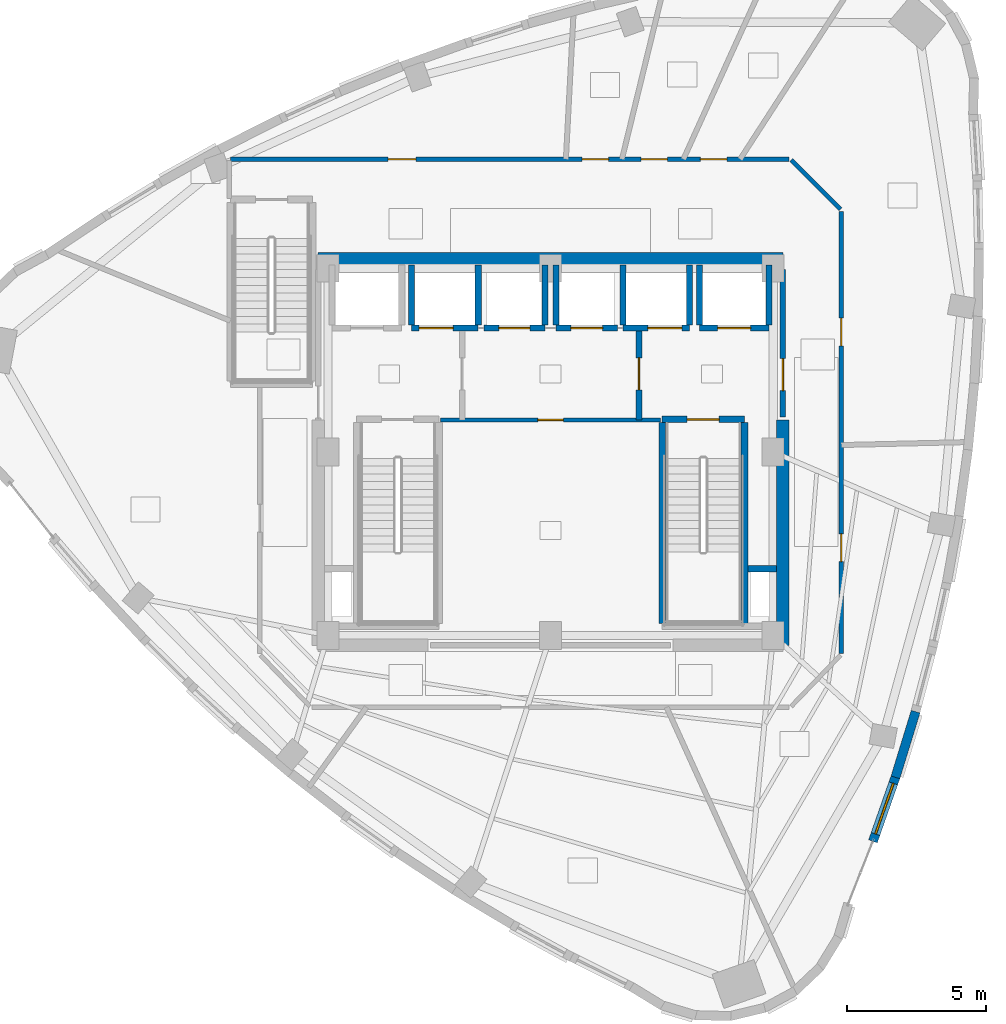
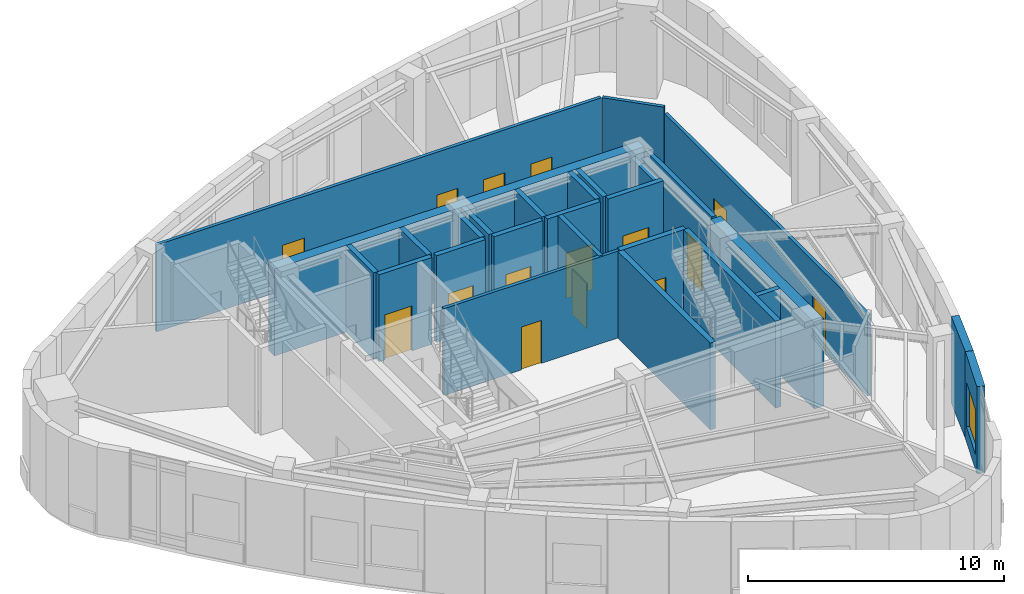
# One storey, part 9 of 13: 27 walls, 15 doors, 1 window, 16 openings.
"""IFC4 building model written with IfcOpenShell, lengths in metres."""

from ifc_helpers import new_model, si_unit, direction, frame, frame_2d, origin, place, context, subcontext, project, spatial, rectangle, extrude, material, layer, layer_set, type_object, element, fill, save


model = new_model("IFC4")

# Units and contexts
model_context = context("Model", 3, precision=1e-05, world=origin(), true_north=direction((0.0, 1.0)))
body_context = subcontext(model_context, "Body", "Model", "MODEL_VIEW")
ifc_project = project(units=[si_unit("LENGTHUNIT", "METRE"), si_unit("AREAUNIT", "SQUARE_METRE"), si_unit("VOLUMEUNIT", "CUBIC_METRE"), si_unit("PLANEANGLEUNIT", "RADIAN"), si_unit("MASSUNIT", "GRAM", prefix="KILO")], contexts=[model_context])

# Site, building, storey
site_placement = place(None, origin())
site = spatial("IfcSite", under=ifc_project, at=site_placement, CompositionType="ELEMENT")
building_placement = place(site_placement, origin())
building = spatial("IfcBuilding", under=site, at=building_placement, Name="Ndelora Gate Hotel", CompositionType="ELEMENT")
storey_placement = place(building_placement, frame((0.0, 0.0, 272.800048828125)))
storey = spatial("IfcBuildingStorey", under=building, at=storey_placement, Name="L68", CompositionType="ELEMENT", Elevation=272.800048828125)

# Wall, opening, window
ifc_material_1 = material(Name="Clay Brick Masonry", Category="masonry")
ifc_layer_1 = layer(ifc_material_1, 0.330078125)
ifc_layer_set_1 = layer_set([ifc_layer_1], Name="Clay Brick Masonry")
wall_type_1 = type_object("IfcWallType", Name="WL-BRICK-330", PredefinedType="SOLIDWALL", material=ifc_layer_set_1)
wall_1_placement = place(storey_placement, frame((12.41259765625, -11.6513671875, 0.0), z_axis=(0.0, 0.0, 1.0), x_axis=(-0.331176640599, -0.94356877477, 0.0)))
wall_1 = element("IfcWall", 1, at=wall_1_placement, inside=storey, type_object=wall_type_1, Name="L68 Tower Brick Pier-and-Spandrel Wall TWR-30", PredefinedType="SOLIDWALL", context=body_context, shape_type="SweptSolid", body=[
    extrude(rectangle(XDim=2.4873046875, YDim=0.330078125, at=frame_2d((1.24365234375, 0.0))), origin(), (0.0, 0.0, 1.0), 4.14990234375),
])
opening_1_placement = place(wall_1_placement, frame((0.278564453125, 0.0, 0.719970703125)))
opening_1 = element("IfcOpeningElement", 2, at=opening_1_placement, cuts=wall_1, Name="Opening W05", PredefinedType="OPENING", context=body_context, shape_type="SweptSolid", body=[
    extrude(rectangle(XDim=1.929931640625, YDim=2.14990234375, at=frame_2d((0.96484375, 1.074951171875))), frame((0.0, 0.175048828125, 0.0), z_axis=(0.0, -1.0, 0.0), x_axis=(1.0, 0.0, 0.0)), (0.0, 0.0, 1.0), 0.35009765625),
])
ifc_material_2 = material(Name="Insulated Low-E Double Glazing in Bronze Aluminium Frame", Category="aluminium")
window_type = type_object("IfcWindowType", Name="WN-SKY-2000", PartitioningType="SINGLE_PANEL", PredefinedType="WINDOW", material=ifc_material_2)
window_placement = place(opening_1_placement, origin())
window = element("IfcWindow", 3, at=window_placement, inside=storey, type_object=window_type, Name="L68 Deep-Set Brick-Pier Window W05", OverallHeight=2.14990234375, OverallWidth=1.929931640625, PartitioningType="SINGLE_PANEL", PredefinedType="WINDOW", context=body_context, shape_type="SweptSolid", body=[
    extrude(rectangle(XDim=1.929931640625, YDim=2.14990234375, at=frame_2d((0.96484375, 1.074951171875))), frame((0.0, 0.030029296875, 0.0), z_axis=(0.0, -1.0, 0.0), x_axis=(1.0, 0.0, 0.0)), (0.0, 0.0, 1.0), 0.06005859375),
])
fill(opening_1, window)

# Walls
wall_2_placement = place(storey_placement, frame((13.122802734375, -9.336181640625, 0.0), z_axis=(0.0, 0.0, 1.0), x_axis=(-0.293558293962, -0.955941173946, 0.0)))
element("IfcWall", 4, at=wall_2_placement, inside=storey, type_object=wall_type_1, Name="L68 Tower Brick Pier-and-Spandrel Wall TWR-31", PredefinedType="SOLIDWALL", context=body_context, shape_type="SweptSolid", body=[
    extrude(rectangle(XDim=2.4716796875, YDim=0.330078125, at=frame_2d((1.23583984375, 0.0))), origin(), (0.0, 0.0, 1.0), 4.14990234375),
])
ifc_material_3 = material(Name="Concrete C50/60", Category="concrete")
ifc_layer_2 = layer(ifc_material_3, 0.449951171875)
ifc_layer_set_2 = layer_set([ifc_layer_2], Name="Concrete C50/60")
wall_type_2 = type_object("IfcWallType", Name="WL-CORE-450", PredefinedType="SHEAR", material=ifc_layer_set_2)
wall_3_placement = place(storey_placement, frame((-8.35009765625, 6.949951171875, 0.0), z_axis=(0.0, 0.0, 1.0), x_axis=(1.0, 0.0, 0.0)))
element("IfcWall", 5, at=wall_3_placement, inside=storey, type_object=wall_type_2, Name="L68 Core Shear Wall N", PredefinedType="SHEAR", context=body_context, shape_type="SweptSolid", body=[
    extrude(rectangle(XDim=16.7001953125, YDim=0.449951171875, at=frame_2d((8.35009765625, 0.0))), origin(), (0.0, 0.0, 1.0), 4.14990234375),
])
wall_4_placement = place(storey_placement, frame((8.35009765625, -6.949951171875, 0.0), z_axis=(0.0, 0.0, 1.0), x_axis=(0.0, 1.0, 0.0)))
element("IfcWall", 6, at=wall_4_placement, inside=storey, type_object=wall_type_2, Name="L68 Core Shear Wall E", PredefinedType="SHEAR", context=body_context, shape_type="SweptSolid", body=[
    extrude(rectangle(XDim=8.099853515625, YDim=0.449951171875, at=frame_2d((4.0498046875, 0.0))), origin(), (0.0, 0.0, 1.0), 4.14990234375),
])

# Wall, opening, door
ifc_material_4 = material(Name="Concrete C40/50", Category="concrete")
ifc_layer_3 = layer(ifc_material_4, 0.199951171875)
ifc_layer_set_3 = layer_set([ifc_layer_3], Name="Concrete C40/50")
wall_type_3 = type_object("IfcWallType", Name="WL-FIRE-200", PredefinedType="PARTITIONING", material=ifc_layer_set_3)
wall_5_placement = place(storey_placement, frame((3.179931640625, 1.14990234375, 0.0), z_axis=(0.0, 0.0, 1.0), x_axis=(0.0, 1.0, 0.0)))
wall_5 = element("IfcWall", 7, at=wall_5_placement, inside=storey, type_object=wall_type_3, Name="L68 Interior Wall IW-2", PredefinedType="PARTITIONING", context=body_context, shape_type="SweptSolid", body=[
    extrude(rectangle(XDim=3.300048828125, YDim=0.199951171875, at=frame_2d((1.64990234375, 0.0))), origin(), (0.0, 0.0, 1.0), 4.14990234375),
])
opening_2_placement = place(wall_5_placement, frame((1.080078125, 0.0, 0.0)))
opening_2 = element("IfcOpeningElement", 8, at=opening_2_placement, cuts=wall_5, Name="Opening FD1", PredefinedType="OPENING", context=body_context, shape_type="SweptSolid", body=[
    extrude(rectangle(XDim=1.14990234375, YDim=2.14990234375, at=frame_2d((0.574951171875, 1.074951171875))), frame((0.0, 0.10986328125, 0.0), z_axis=(0.0, -1.0, 0.0), x_axis=(1.0, 0.0, 0.0)), (0.0, 0.0, 1.0), 0.219970703125),
])
ifc_material_5 = material(Name="Fire-Rated Timber-Veneer Steel Core", Category="steel")
door_type_1 = type_object("IfcDoorType", Name="DR-FD60", OperationType="SINGLE_SWING_LEFT", PredefinedType="DOOR", material=ifc_material_5)
door_1_placement = place(opening_2_placement, origin())
door_1 = element("IfcDoor", 9, at=door_1_placement, inside=storey, type_object=door_type_1, Name="L68 Firefighting Lobby East Door", OperationType="SINGLE_SWING_LEFT", OverallHeight=2.14990234375, OverallWidth=1.14990234375, PredefinedType="DOOR", context=body_context, shape_type="SweptSolid", body=[
    extrude(rectangle(XDim=1.14990234375, YDim=2.14990234375, at=frame_2d((0.574951171875, 1.074951171875))), frame((0.0, 0.02490234375, 0.0), z_axis=(0.0, -1.0, 0.0), x_axis=(1.0, 0.0, 0.0)), (0.0, 0.0, 1.0), 0.050048828125),
])
fill(opening_2, door_1)

wall_6_placement = place(storey_placement, frame((8.35009765625, 1.25, 0.0), z_axis=(0.0, 0.0, 1.0), x_axis=(0.0, 1.0, 0.0)))
wall_6 = element("IfcWall", 10, at=wall_6_placement, inside=storey, type_object=wall_type_3, Name="L68 Interior Wall IW-2", PredefinedType="PARTITIONING", context=body_context, shape_type="SweptSolid", body=[
    extrude(rectangle(XDim=5.300048828125, YDim=0.199951171875, at=frame_2d((2.64990234375, 0.0))), origin(), (0.0, 0.0, 1.0), 4.14990234375),
])
opening_3_placement = place(wall_6_placement, frame((0.949951171875, 0.0, 0.0)))
opening_3 = element("IfcOpeningElement", 11, at=opening_3_placement, cuts=wall_6, Name="Opening FD1", PredefinedType="OPENING", context=body_context, shape_type="SweptSolid", body=[
    extrude(rectangle(XDim=1.14990234375, YDim=2.14990234375, at=frame_2d((0.574951171875, 1.074951171875))), frame((0.0, 0.10986328125, 0.0), z_axis=(0.0, -1.0, 0.0), x_axis=(1.0, 0.0, 0.0)), (0.0, 0.0, 1.0), 0.219970703125),
])
door_2_placement = place(opening_3_placement, origin())
door_2 = element("IfcDoor", 12, at=door_2_placement, inside=storey, type_object=door_type_1, Name="L68 Firefighting Lobby East Corridor Door", OperationType="SINGLE_SWING_RIGHT", OverallHeight=2.14990234375, OverallWidth=1.14990234375, PredefinedType="DOOR", context=body_context, shape_type="SweptSolid", body=[
    extrude(rectangle(XDim=1.14990234375, YDim=2.14990234375, at=frame_2d((0.574951171875, 1.074951171875))), frame((0.0, 0.02490234375, 0.0), z_axis=(0.0, -1.0, 0.0), x_axis=(1.0, 0.0, 0.0)), (0.0, 0.0, 1.0), 0.050048828125),
])
fill(opening_3, door_2)

ifc_material_6 = material(Name="Fire-Rated Gypsum Stud Partition", Category="gypsum")
ifc_layer_4 = layer(ifc_material_6, 0.14990234375)
ifc_layer_set_4 = layer_set([ifc_layer_4], Name="Fire-Rated Gypsum Stud Partition")
wall_type_4 = type_object("IfcWallType", Name="WL-PART-150", PredefinedType="PARTITIONING", material=ifc_layer_set_4)
wall_7_placement = place(storey_placement, frame((3.949951171875, 1.14990234375, 0.0), z_axis=(0.0, 0.0, 1.0), x_axis=(-1.0, 0.0, 0.0)))
wall_7 = element("IfcWall", 13, at=wall_7_placement, inside=storey, type_object=wall_type_4, Name="L68 Interior Wall IW-5", PredefinedType="PARTITIONING", context=body_context, shape_type="SweptSolid", body=[
    extrude(rectangle(XDim=7.89990234375, YDim=0.14990234375, at=frame_2d((3.949951171875, 0.0))), origin(), (0.0, 0.0, 1.0), 4.14990234375),
])
opening_4_placement = place(wall_7_placement, frame((3.489990234375, 0.0, 0.0)))
opening_4 = element("IfcOpeningElement", 14, at=opening_4_placement, cuts=wall_7, Name="Opening D04", PredefinedType="OPENING", context=body_context, shape_type="SweptSolid", body=[
    extrude(rectangle(XDim=0.919921875, YDim=2.050048828125, at=frame_2d((0.4599609375, 1.02490234375))), frame((0.0, 0.0849609375, 0.0), z_axis=(0.0, -1.0, 0.0), x_axis=(1.0, 0.0, 0.0)), (0.0, 0.0, 1.0), 0.169921875),
])
ifc_material_7 = material(Name="Painted Steel Core Service Door", Category="steel")
door_type_2 = type_object("IfcDoorType", Name="DR-SER-920", OperationType="SINGLE_SWING_LEFT", PredefinedType="DOOR", material=ifc_material_7)
door_3_placement = place(opening_4_placement, origin())
door_3 = element("IfcDoor", 15, at=door_3_placement, inside=storey, type_object=door_type_2, Name="L68 Core Electrical and Linen Service Store Door", OperationType="SINGLE_SWING_LEFT", OverallHeight=2.050048828125, OverallWidth=0.919921875, PredefinedType="DOOR", context=body_context, shape_type="SweptSolid", body=[
    extrude(rectangle(XDim=0.919921875, YDim=2.050048828125, at=frame_2d((0.4599609375, 1.02490234375))), frame((0.0, 0.02490234375, 0.0), z_axis=(0.0, -1.0, 0.0), x_axis=(1.0, 0.0, 0.0)), (0.0, 0.0, 1.0), 0.050048828125),
])
fill(opening_4, door_3)

# Wall, openings, doors
wall_8_placement = place(storey_placement, frame((10.449951171875, 8.64990234375, 0.0), z_axis=(0.0, 0.0, 1.0), x_axis=(0.0, -1.0, 0.0)))
wall_8 = element("IfcWall", 16, at=wall_8_placement, inside=storey, type_object=wall_type_4, Name="L68 Interior Wall IW-5", PredefinedType="PARTITIONING", context=body_context, shape_type="SweptSolid", body=[
    extrude(rectangle(XDim=15.889892578125, YDim=0.14990234375, at=frame_2d((7.94482421875, 0.0))), origin(), (0.0, 0.0, 1.0), 3.85986328125),
])
opening_5_placement = place(wall_8_placement, frame((11.596923828125, 0.0, 0.0)))
opening_5 = element("IfcOpeningElement", 17, at=opening_5_placement, cuts=wall_8, Name="Opening D01", PredefinedType="OPENING", context=body_context, shape_type="SweptSolid", body=[
    extrude(rectangle(XDim=1.0, YDim=2.14990234375, at=frame_2d((0.5, 1.074951171875))), frame((0.0, 0.0849609375, 0.0), z_axis=(0.0, -1.0, 0.0), x_axis=(1.0, 0.0, 0.0)), (0.0, 0.0, 1.0), 0.169921875),
])
opening_6_placement = place(wall_8_placement, frame((3.841796875, 0.0, 0.0)))
opening_6 = element("IfcOpeningElement", 18, at=opening_6_placement, cuts=wall_8, Name="Opening D01", PredefinedType="OPENING", context=body_context, shape_type="SweptSolid", body=[
    extrude(rectangle(XDim=1.0, YDim=2.14990234375, at=frame_2d((0.5, 1.074951171875))), frame((0.0, 0.0849609375, 0.0), z_axis=(0.0, -1.0, 0.0), x_axis=(1.0, 0.0, 0.0)), (0.0, 0.0, 1.0), 0.169921875),
])
ifc_material_8 = material(Name="Acoustic Hardwood Guest Entrance Door", Category="wood")
door_type_3 = type_object("IfcDoorType", Name="DR-COR-1000", OperationType="SINGLE_SWING_LEFT", PredefinedType="DOOR", material=ifc_material_8)
door_4_placement = place(opening_5_placement, origin())
door_4 = element("IfcDoor", 19, at=door_4_placement, inside=storey, type_object=door_type_3, Name="L68 Private Chef Dining Room Entrance Door", OperationType="SINGLE_SWING_RIGHT", OverallHeight=2.14990234375, OverallWidth=1.0, PredefinedType="DOOR", context=body_context, shape_type="SweptSolid", body=[
    extrude(rectangle(XDim=1.0, YDim=2.14990234375, at=frame_2d((0.5, 1.074951171875))), frame((0.0, 0.02490234375, 0.0), z_axis=(0.0, -1.0, 0.0), x_axis=(1.0, 0.0, 0.0)), (0.0, 0.0, 1.0), 0.050048828125),
])
fill(opening_5, door_4)
door_5_placement = place(opening_6_placement, origin())
door_5 = element("IfcDoor", 20, at=door_5_placement, inside=storey, type_object=door_type_3, Name="L68 Crown Sommelier Study Entrance Door", OperationType="SINGLE_SWING_LEFT", OverallHeight=2.14990234375, OverallWidth=1.0, PredefinedType="DOOR", context=body_context, shape_type="SweptSolid", body=[
    extrude(rectangle(XDim=1.0, YDim=2.14990234375, at=frame_2d((0.5, 1.074951171875))), frame((0.0, 0.02490234375, 0.0), z_axis=(0.0, -1.0, 0.0), x_axis=(1.0, 0.0, 0.0)), (0.0, 0.0, 1.0), 0.050048828125),
])
fill(opening_6, door_5)

# Wall
wall_9_placement = place(storey_placement, frame((8.648193359375, 10.49169921875, 0.0), z_axis=(0.0, 0.0, 1.0), x_axis=(0.707106781187, -0.707106781187, 0.0)))
element("IfcWall", 21, at=wall_9_placement, inside=storey, type_object=wall_type_4, Name="L68 Interior Wall IW-5", PredefinedType="PARTITIONING", context=body_context, shape_type="SweptSolid", body=[
    extrude(rectangle(XDim=2.508056640625, YDim=0.14990234375, at=frame_2d((1.25390625, 0.0))), origin(), (0.0, 0.0, 1.0), 4.14990234375),
])

# Wall, openings, doors
wall_10_placement = place(storey_placement, frame((-11.510009765625, 10.52001953125, 0.0), z_axis=(0.0, 0.0, 1.0), x_axis=(1.0, 0.0, 0.0)))
wall_10 = element("IfcWall", 22, at=wall_10_placement, inside=storey, type_object=wall_type_4, Name="L68 Interior Wall IW-5", PredefinedType="PARTITIONING", context=body_context, shape_type="SweptSolid", body=[
    extrude(rectangle(XDim=20.090087890625, YDim=0.14990234375, at=frame_2d((10.044921875, 0.0))), origin(), (0.0, 0.0, 1.0), 4.14990234375),
])
opening_7_placement = place(wall_10_placement, frame((12.64599609375, 0.0, 0.0)))
opening_7 = element("IfcOpeningElement", 23, at=opening_7_placement, cuts=wall_10, Name="Opening D05", PredefinedType="OPENING", context=body_context, shape_type="SweptSolid", body=[
    extrude(rectangle(XDim=0.949951171875, YDim=2.10009765625, at=frame_2d((0.47509765625, 1.050048828125))), frame((0.0, 0.0849609375, 0.0), z_axis=(0.0, -1.0, 0.0), x_axis=(1.0, 0.0, 0.0)), (0.0, 0.0, 1.0), 0.169921875),
])
opening_8_placement = place(wall_10_placement, frame((14.76318359375, 0.0, 0.0)))
opening_8 = element("IfcOpeningElement", 24, at=opening_8_placement, cuts=wall_10, Name="Opening D05", PredefinedType="OPENING", context=body_context, shape_type="SweptSolid", body=[
    extrude(rectangle(XDim=0.949951171875, YDim=2.10009765625, at=frame_2d((0.47509765625, 1.050048828125))), frame((0.0, 0.0849609375, 0.0), z_axis=(0.0, -1.0, 0.0), x_axis=(1.0, 0.0, 0.0)), (0.0, 0.0, 1.0), 0.169921875),
])
opening_9_placement = place(wall_10_placement, frame((16.894775390625, 0.0, 0.0)))
opening_9 = element("IfcOpeningElement", 25, at=opening_9_placement, cuts=wall_10, Name="Opening D05", PredefinedType="OPENING", context=body_context, shape_type="SweptSolid", body=[
    extrude(rectangle(XDim=0.949951171875, YDim=2.10009765625, at=frame_2d((0.47509765625, 1.050048828125))), frame((0.0, 0.0849609375, 0.0), z_axis=(0.0, -1.0, 0.0), x_axis=(1.0, 0.0, 0.0)), (0.0, 0.0, 1.0), 0.169921875),
])
opening_10_placement = place(wall_10_placement, frame((5.6708984375, 0.0, 0.0)))
opening_10 = element("IfcOpeningElement", 26, at=opening_10_placement, cuts=wall_10, Name="Opening D01", PredefinedType="OPENING", context=body_context, shape_type="SweptSolid", body=[
    extrude(rectangle(XDim=1.0, YDim=2.14990234375, at=frame_2d((0.5, 1.074951171875))), frame((0.0, 0.0849609375, 0.0), z_axis=(0.0, -1.0, 0.0), x_axis=(1.0, 0.0, 0.0)), (0.0, 0.0, 1.0), 0.169921875),
])
ifc_material_9 = material(Name="Accessible Restroom Wide-Clearance Door", Category="wood")
door_type_4 = type_object("IfcDoorType", Name="DR-ACC-950", OperationType="SINGLE_SWING_LEFT", PredefinedType="DOOR", material=ifc_material_9)
door_6_placement = place(opening_7_placement, origin())
door_6 = element("IfcDoor", 27, at=door_6_placement, inside=storey, type_object=door_type_4, Name="L68 Accessible WC Entrance Door", OperationType="SINGLE_SWING_RIGHT", OverallHeight=2.10009765625, OverallWidth=0.949951171875, PredefinedType="DOOR", context=body_context, shape_type="SweptSolid", body=[
    extrude(rectangle(XDim=0.949951171875, YDim=2.10009765625, at=frame_2d((0.47509765625, 1.050048828125))), frame((0.0, 0.02490234375, 0.0), z_axis=(0.0, -1.0, 0.0), x_axis=(1.0, 0.0, 0.0)), (0.0, 0.0, 1.0), 0.050048828125),
])
fill(opening_7, door_6)
door_7_placement = place(opening_8_placement, origin())
door_7 = element("IfcDoor", 28, at=door_7_placement, inside=storey, type_object=door_type_4, Name="L68 Female Public Restroom Entrance Door", OperationType="SINGLE_SWING_LEFT", OverallHeight=2.10009765625, OverallWidth=0.949951171875, PredefinedType="DOOR", context=body_context, shape_type="SweptSolid", body=[
    extrude(rectangle(XDim=0.949951171875, YDim=2.10009765625, at=frame_2d((0.47509765625, 1.050048828125))), frame((0.0, 0.02490234375, 0.0), z_axis=(0.0, -1.0, 0.0), x_axis=(1.0, 0.0, 0.0)), (0.0, 0.0, 1.0), 0.050048828125),
])
fill(opening_8, door_7)
door_8_placement = place(opening_9_placement, origin())
door_8 = element("IfcDoor", 29, at=door_8_placement, inside=storey, type_object=door_type_4, Name="L68 Male Public Restroom Entrance Door", OperationType="SINGLE_SWING_RIGHT", OverallHeight=2.10009765625, OverallWidth=0.949951171875, PredefinedType="DOOR", context=body_context, shape_type="SweptSolid", body=[
    extrude(rectangle(XDim=0.949951171875, YDim=2.10009765625, at=frame_2d((0.47509765625, 1.050048828125))), frame((0.0, 0.02490234375, 0.0), z_axis=(0.0, -1.0, 0.0), x_axis=(1.0, 0.0, 0.0)), (0.0, 0.0, 1.0), 0.050048828125),
])
fill(opening_9, door_8)
door_9_placement = place(opening_10_placement, origin())
door_9 = element("IfcDoor", 30, at=door_9_placement, inside=storey, type_object=door_type_3, Name="L68 Crown Arrival Dining Room Entrance Door", OperationType="SINGLE_SWING_LEFT", OverallHeight=2.14990234375, OverallWidth=1.0, PredefinedType="DOOR", context=body_context, shape_type="SweptSolid", body=[
    extrude(rectangle(XDim=1.0, YDim=2.14990234375, at=frame_2d((0.5, 1.074951171875))), frame((0.0, 0.02490234375, 0.0), z_axis=(0.0, -1.0, 0.0), x_axis=(1.0, 0.0, 0.0)), (0.0, 0.0, 1.0), 0.050048828125),
])
fill(opening_10, door_9)

# Wall
ifc_layer_5 = layer(ifc_material_4, 0.219970703125)
ifc_layer_set_5 = layer_set([ifc_layer_5], Name="Concrete C40/50")
wall_type_5 = type_object("IfcWallType", Name="WL-SHAFT-220", PredefinedType="PARTITIONING", material=ifc_layer_set_5)
wall_11_placement = place(storey_placement, frame((7.090087890625, -4.199951171875, 0.0), z_axis=(0.0, 0.0, 1.0), x_axis=(1.0, 0.0, 0.0)))
element("IfcWall", 31, at=wall_11_placement, inside=storey, type_object=wall_type_5, Name="L68 Interior Wall IW-1", PredefinedType="PARTITIONING", context=body_context, shape_type="SweptSolid", body=[
    extrude(rectangle(XDim=1.034912109375, YDim=0.219970703125, at=frame_2d((0.517578125, 0.0))), origin(), (0.0, 0.0, 1.0), 4.14990234375),
])

# Wall, opening, door
wall_12_placement = place(storey_placement, frame((5.35009765625, 4.449951171875, 0.0), z_axis=(0.0, 0.0, 1.0), x_axis=(1.0, 0.0, 0.0)))
wall_12 = element("IfcWall", 32, at=wall_12_placement, inside=storey, type_object=wall_type_5, Name="L68 Interior Wall IW-1", PredefinedType="PARTITIONING", context=body_context, shape_type="SweptSolid", body=[
    extrude(rectangle(XDim=2.5, YDim=0.219970703125, at=frame_2d((1.25, 0.0))), origin(), (0.0, 0.0, 1.0), 4.14990234375),
])
opening_11_placement = place(wall_12_placement, frame((0.659912109375, 0.0, 0.0)))
opening_11 = element("IfcOpeningElement", 33, at=opening_11_placement, cuts=wall_12, Name="Opening LD5", PredefinedType="OPENING", context=body_context, shape_type="SweptSolid", body=[
    extrude(rectangle(XDim=1.179931640625, YDim=2.14990234375, at=frame_2d((0.58984375, 1.074951171875))), frame((0.0, 0.1201171875, 0.0), z_axis=(0.0, -1.0, 0.0), x_axis=(1.0, 0.0, 0.0)), (0.0, 0.0, 1.0), 0.239990234375),
])
ifc_material_10 = material(Name="Firefighting Lift Stainless Sliding Landing Door", Category="metal")
door_type_5 = type_object("IfcDoorType", Name="DR-LD5", OperationType="DOUBLE_DOOR_SLIDING", PredefinedType="DOOR", material=ifc_material_10)
door_10_placement = place(opening_11_placement, origin())
door_10 = element("IfcDoor", 34, at=door_10_placement, inside=storey, type_object=door_type_5, Name="L68 Lift Landing Sliding Door FFL2", OperationType="DOUBLE_DOOR_SLIDING", OverallHeight=2.14990234375, OverallWidth=1.179931640625, PredefinedType="DOOR", context=body_context, shape_type="SweptSolid", body=[
    extrude(rectangle(XDim=1.179931640625, YDim=2.14990234375, at=frame_2d((0.58984375, 1.074951171875))), frame((0.0, 0.02490234375, 0.0), z_axis=(0.0, -1.0, 0.0), x_axis=(1.0, 0.0, 0.0)), (0.0, 0.0, 1.0), 0.050048828125),
])
fill(opening_11, door_10)

# Walls
wall_13_placement = place(storey_placement, frame((5.35009765625, 4.570068359375, 0.0), z_axis=(0.0, 0.0, 1.0), x_axis=(0.0, 1.0, 0.0)))
element("IfcWall", 35, at=wall_13_placement, inside=storey, type_object=wall_type_5, Name="L68 Interior Wall IW-1", PredefinedType="PARTITIONING", context=body_context, shape_type="SweptSolid", body=[
    extrude(rectangle(XDim=2.155029296875, YDim=0.219970703125, at=frame_2d((1.07763671875, 0.0))), origin(), (0.0, 0.0, 1.0), 4.14990234375),
])
wall_14_placement = place(storey_placement, frame((7.85009765625, 4.570068359375, 0.0), z_axis=(0.0, 0.0, 1.0), x_axis=(0.0, 1.0, 0.0)))
element("IfcWall", 36, at=wall_14_placement, inside=storey, type_object=wall_type_5, Name="L68 Interior Wall IW-1", PredefinedType="PARTITIONING", context=body_context, shape_type="SweptSolid", body=[
    extrude(rectangle(XDim=2.155029296875, YDim=0.219970703125, at=frame_2d((1.07763671875, 0.0))), origin(), (0.0, 0.0, 1.0), 3.829833984375),
])

# Wall, opening, door
wall_15_placement = place(storey_placement, frame((-5.0, 4.449951171875, 0.0), z_axis=(0.0, 0.0, 1.0), x_axis=(1.0, 0.0, 0.0)))
wall_15 = element("IfcWall", 37, at=wall_15_placement, inside=storey, type_object=wall_type_5, Name="L68 Interior Wall IW-1", PredefinedType="PARTITIONING", context=body_context, shape_type="SweptSolid", body=[
    extrude(rectangle(XDim=2.39990234375, YDim=0.219970703125, at=frame_2d((1.199951171875, 0.0))), origin(), (0.0, 0.0, 1.0), 4.14990234375),
])
opening_12_placement = place(wall_15_placement, frame((0.280029296875, 0.0, 0.0)))
opening_12 = element("IfcOpeningElement", 38, at=opening_12_placement, cuts=wall_15, Name="Opening LD6", PredefinedType="OPENING", context=body_context, shape_type="SweptSolid", body=[
    extrude(rectangle(XDim=1.219970703125, YDim=2.14990234375, at=frame_2d((0.60986328125, 1.074951171875))), frame((0.0, 0.1201171875, 0.0), z_axis=(0.0, -1.0, 0.0), x_axis=(1.0, 0.0, 0.0)), (0.0, 0.0, 1.0), 0.239990234375),
])
ifc_material_11 = material(Name="Heavy-Duty Service Lift Sliding Landing Door", Category="wood")
door_type_6 = type_object("IfcDoorType", Name="DR-LD6", OperationType="DOUBLE_DOOR_SLIDING", PredefinedType="DOOR", material=ifc_material_11)
door_11_placement = place(opening_12_placement, origin())
door_11 = element("IfcDoor", 39, at=door_11_placement, inside=storey, type_object=door_type_6, Name="L68 Lift Landing Sliding Door SVL1", OperationType="DOUBLE_DOOR_SLIDING", OverallHeight=2.14990234375, OverallWidth=1.219970703125, PredefinedType="DOOR", context=body_context, shape_type="SweptSolid", body=[
    extrude(rectangle(XDim=1.219970703125, YDim=2.14990234375, at=frame_2d((0.60986328125, 1.074951171875))), frame((0.0, 0.02490234375, 0.0), z_axis=(0.0, -1.0, 0.0), x_axis=(1.0, 0.0, 0.0)), (0.0, 0.0, 1.0), 0.050048828125),
])
fill(opening_12, door_11)

# Walls
for number, where, z_axis, x_axis, name in (
    (40, (-5.0, 4.570068359375, 0.0), (0.0, 0.0, 1.0), (0.0, 1.0, 0.0), "L68 Interior Wall IW-1"),
    (41, (-2.60009765625, 4.570068359375, 0.0), (0.0, 0.0, 1.0), (0.0, 1.0, 0.0), "L68 Interior Wall IW-1"),
):
    element("IfcWall", number, at=place(storey_placement, frame(where, z_axis=z_axis, x_axis=x_axis)), inside=storey, type_object=wall_type_5, Name=name, PredefinedType="PARTITIONING", context=body_context, shape_type="SweptSolid", body=[
        extrude(rectangle(XDim=2.155029296875, YDim=0.219970703125, at=frame_2d((1.07763671875, 0.0))), origin(), (0.0, 0.0, 1.0), 4.14990234375),
    ])

# Wall, opening, door
wall_16_placement = place(storey_placement, frame((2.60009765625, 4.449951171875, 0.0), z_axis=(0.0, 0.0, 1.0), x_axis=(1.0, 0.0, 0.0)))
wall_16 = element("IfcWall", 42, at=wall_16_placement, inside=storey, type_object=wall_type_5, Name="L68 Interior Wall IW-1", PredefinedType="PARTITIONING", context=body_context, shape_type="SweptSolid", body=[
    extrude(rectangle(XDim=2.39990234375, YDim=0.219970703125, at=frame_2d((1.199951171875, 0.0))), origin(), (0.0, 0.0, 1.0), 4.14990234375),
])
opening_13_placement = place(wall_16_placement, frame((0.89990234375, 0.0, 0.0)))
opening_13 = element("IfcOpeningElement", 43, at=opening_13_placement, cuts=wall_16, Name="Opening LD6", PredefinedType="OPENING", context=body_context, shape_type="SweptSolid", body=[
    extrude(rectangle(XDim=1.219970703125, YDim=2.14990234375, at=frame_2d((0.60986328125, 1.074951171875))), frame((0.0, 0.1201171875, 0.0), z_axis=(0.0, -1.0, 0.0), x_axis=(1.0, 0.0, 0.0)), (0.0, 0.0, 1.0), 0.239990234375),
])
door_12_placement = place(opening_13_placement, origin())
door_12 = element("IfcDoor", 44, at=door_12_placement, inside=storey, type_object=door_type_6, Name="L68 Lift Landing Sliding Door SVL2", OperationType="DOUBLE_DOOR_SLIDING", OverallHeight=2.14990234375, OverallWidth=1.219970703125, PredefinedType="DOOR", context=body_context, shape_type="SweptSolid", body=[
    extrude(rectangle(XDim=1.219970703125, YDim=2.14990234375, at=frame_2d((0.60986328125, 1.074951171875))), frame((0.0, 0.02490234375, 0.0), z_axis=(0.0, -1.0, 0.0), x_axis=(1.0, 0.0, 0.0)), (0.0, 0.0, 1.0), 0.050048828125),
])
fill(opening_13, door_12)

# Walls
for number, where, z_axis, x_axis, name in (
    (45, (2.60009765625, 4.570068359375, 0.0), (0.0, 0.0, 1.0), (0.0, 1.0, 0.0), "L68 Interior Wall IW-1"),
    (46, (5.0, 4.570068359375, 0.0), (0.0, 0.0, 1.0), (0.0, 1.0, 0.0), "L68 Interior Wall IW-1"),
):
    element("IfcWall", number, at=place(storey_placement, frame(where, z_axis=z_axis, x_axis=x_axis)), inside=storey, type_object=wall_type_5, Name=name, PredefinedType="PARTITIONING", context=body_context, shape_type="SweptSolid", body=[
        extrude(rectangle(XDim=2.155029296875, YDim=0.219970703125, at=frame_2d((1.07763671875, 0.0))), origin(), (0.0, 0.0, 1.0), 4.14990234375),
    ])

# Wall, opening, door
wall_17_placement = place(storey_placement, frame((-2.39990234375, 4.449951171875, 0.0), z_axis=(0.0, 0.0, 1.0), x_axis=(1.0, 0.0, 0.0)))
wall_17 = element("IfcWall", 47, at=wall_17_placement, inside=storey, type_object=wall_type_5, Name="L68 Interior Wall IW-1", PredefinedType="PARTITIONING", context=body_context, shape_type="SweptSolid", body=[
    extrude(rectangle(XDim=2.199951171875, YDim=0.219970703125, at=frame_2d((1.10009765625, 0.0))), origin(), (0.0, 0.0, 1.0), 4.14990234375),
])
opening_14_placement = place(wall_17_placement, frame((0.5400390625, 0.0, 0.0)))
opening_14 = element("IfcOpeningElement", 48, at=opening_14_placement, cuts=wall_17, Name="Opening LD3", PredefinedType="OPENING", context=body_context, shape_type="SweptSolid", body=[
    extrude(rectangle(XDim=1.1201171875, YDim=2.14990234375, at=frame_2d((0.56005859375, 1.074951171875))), frame((0.0, 0.1201171875, 0.0), z_axis=(0.0, -1.0, 0.0), x_axis=(1.0, 0.0, 0.0)), (0.0, 0.0, 1.0), 0.239990234375),
])
ifc_material_12 = material(Name="Brushed Bronze Stainless Lift Landing Door", Category="metal")
door_type_7 = type_object("IfcDoorType", Name="DR-LD3", OperationType="DOUBLE_DOOR_SLIDING", PredefinedType="DOOR", material=ifc_material_12)
door_13_placement = place(opening_14_placement, origin())
door_13 = element("IfcDoor", 49, at=door_13_placement, inside=storey, type_object=door_type_7, Name="L68 Lift Landing Sliding Door P3A", OperationType="DOUBLE_DOOR_SLIDING", OverallHeight=2.14990234375, OverallWidth=1.1201171875, PredefinedType="DOOR", context=body_context, shape_type="SweptSolid", body=[
    extrude(rectangle(XDim=1.1201171875, YDim=2.14990234375, at=frame_2d((0.56005859375, 1.074951171875))), frame((0.0, 0.02490234375, 0.0), z_axis=(0.0, -1.0, 0.0), x_axis=(1.0, 0.0, 0.0)), (0.0, 0.0, 1.0), 0.050048828125),
])
fill(opening_14, door_13)

# Wall
wall_18_placement = place(storey_placement, frame((-0.199951171875, 4.570068359375, 0.0), z_axis=(0.0, 0.0, 1.0), x_axis=(0.0, 1.0, 0.0)))
element("IfcWall", 50, at=wall_18_placement, inside=storey, type_object=wall_type_5, Name="L68 Interior Wall IW-1", PredefinedType="PARTITIONING", context=body_context, shape_type="SweptSolid", body=[
    extrude(rectangle(XDim=2.155029296875, YDim=0.219970703125, at=frame_2d((1.07763671875, 0.0))), origin(), (0.0, 0.0, 1.0), 4.14990234375),
])

# Wall, opening, door
wall_19_placement = place(storey_placement, frame((0.199951171875, 4.449951171875, 0.0), z_axis=(0.0, 0.0, 1.0), x_axis=(1.0, 0.0, 0.0)))
wall_19 = element("IfcWall", 51, at=wall_19_placement, inside=storey, type_object=wall_type_5, Name="L68 Interior Wall IW-1", PredefinedType="PARTITIONING", context=body_context, shape_type="SweptSolid", body=[
    extrude(rectangle(XDim=2.199951171875, YDim=0.219970703125, at=frame_2d((1.10009765625, 0.0))), origin(), (0.0, 0.0, 1.0), 4.14990234375),
])
opening_15_placement = place(wall_19_placement, frame((0.530029296875, 0.0, 0.0)))
opening_15 = element("IfcOpeningElement", 52, at=opening_15_placement, cuts=wall_19, Name="Opening LD4", PredefinedType="OPENING", context=body_context, shape_type="SweptSolid", body=[
    extrude(rectangle(XDim=1.139892578125, YDim=2.14990234375, at=frame_2d((0.56982421875, 1.074951171875))), frame((0.0, 0.1201171875, 0.0), z_axis=(0.0, -1.0, 0.0), x_axis=(1.0, 0.0, 0.0)), (0.0, 0.0, 1.0), 0.239990234375),
])
door_type_8 = type_object("IfcDoorType", Name="DR-LD4", OperationType="DOUBLE_DOOR_SLIDING", PredefinedType="DOOR", material=ifc_material_12)
door_14_placement = place(opening_15_placement, origin())
door_14 = element("IfcDoor", 53, at=door_14_placement, inside=storey, type_object=door_type_8, Name="L68 Lift Landing Sliding Door EX1", OperationType="DOUBLE_DOOR_SLIDING", OverallHeight=2.14990234375, OverallWidth=1.139892578125, PredefinedType="DOOR", context=body_context, shape_type="SweptSolid", body=[
    extrude(rectangle(XDim=1.139892578125, YDim=2.14990234375, at=frame_2d((0.56982421875, 1.074951171875))), frame((0.0, 0.02490234375, 0.0), z_axis=(0.0, -1.0, 0.0), x_axis=(1.0, 0.0, 0.0)), (0.0, 0.0, 1.0), 0.050048828125),
])
fill(opening_15, door_14)

# Walls
wall_20_placement = place(storey_placement, frame((0.199951171875, 4.570068359375, 0.0), z_axis=(0.0, 0.0, 1.0), x_axis=(0.0, 1.0, 0.0)))
element("IfcWall", 54, at=wall_20_placement, inside=storey, type_object=wall_type_5, Name="L68 Interior Wall IW-1", PredefinedType="PARTITIONING", context=body_context, shape_type="SweptSolid", body=[
    extrude(rectangle(XDim=2.155029296875, YDim=0.219970703125, at=frame_2d((1.07763671875, 0.0))), origin(), (0.0, 0.0, 1.0), 4.14990234375),
])
ifc_layer_6 = layer(ifc_material_3, 0.239990234375)
ifc_layer_set_6 = layer_set([ifc_layer_6], Name="Concrete C50/60")
wall_type_6 = type_object("IfcWallType", Name="WL-STAIR-240", PredefinedType="SHEAR", material=ifc_layer_set_6)
for number, where, z_axis, x_axis, name in (
    (55, (4.010009765625, -6.159912109375, 0.0), (0.0, 0.0, 1.0), (0.0, 1.0, 0.0), "L68 Stair Core Shear Wall SW-ST"),
    (56, (6.969970703125, -6.159912109375, 0.0), (0.0, 0.0, 1.0), (0.0, 1.0, 0.0), "L68 Stair Core Shear Wall SW-ST"),
):
    element("IfcWall", number, at=place(storey_placement, frame(where, z_axis=z_axis, x_axis=x_axis)), inside=storey, type_object=wall_type_6, Name=name, PredefinedType="SHEAR", context=body_context, shape_type="SweptSolid", body=[
        extrude(rectangle(XDim=7.219970703125, YDim=0.239990234375, at=frame_2d((3.60986328125, 0.0))), origin(), (0.0, 0.0, 1.0), 4.14990234375),
    ])

# Wall, opening, door
wall_21_placement = place(storey_placement, frame((4.010009765625, 1.169921875, 0.0), z_axis=(0.0, 0.0, 1.0), x_axis=(1.0, 0.0, 0.0)))
wall_21 = element("IfcWall", 57, at=wall_21_placement, inside=storey, type_object=wall_type_6, Name="L68 Stair Core Shear Wall SW-ST", PredefinedType="SHEAR", context=body_context, shape_type="SweptSolid", body=[
    extrude(rectangle(XDim=2.9599609375, YDim=0.239990234375, at=frame_2d((1.47998046875, 0.0))), origin(), (0.0, 0.0, 1.0), 4.14990234375),
])
opening_16_placement = place(wall_21_placement, frame((0.89990234375, 0.0, 0.0)))
opening_16 = element("IfcOpeningElement", 58, at=opening_16_placement, cuts=wall_21, Name="Opening FD1", PredefinedType="OPENING", context=body_context, shape_type="SweptSolid", body=[
    extrude(rectangle(XDim=1.14990234375, YDim=2.14990234375, at=frame_2d((0.574951171875, 1.074951171875))), frame((0.0, 0.1298828125, 0.0), z_axis=(0.0, -1.0, 0.0), x_axis=(1.0, 0.0, 0.0)), (0.0, 0.0, 1.0), 0.260009765625),
])
door_15_placement = place(opening_16_placement, origin())
door_15 = element("IfcDoor", 59, at=door_15_placement, inside=storey, type_object=door_type_1, Name="L68 Exit Stair ST5 Door", OperationType="SINGLE_SWING_RIGHT", OverallHeight=2.14990234375, OverallWidth=1.14990234375, PredefinedType="DOOR", context=body_context, shape_type="SweptSolid", body=[
    extrude(rectangle(XDim=1.14990234375, YDim=2.14990234375, at=frame_2d((0.574951171875, 1.074951171875))), frame((0.0, 0.02490234375, 0.0), z_axis=(0.0, -1.0, 0.0), x_axis=(1.0, 0.0, 0.0)), (0.0, 0.0, 1.0), 0.050048828125),
])
fill(opening_16, door_15)

save(model, "model.ifc")
